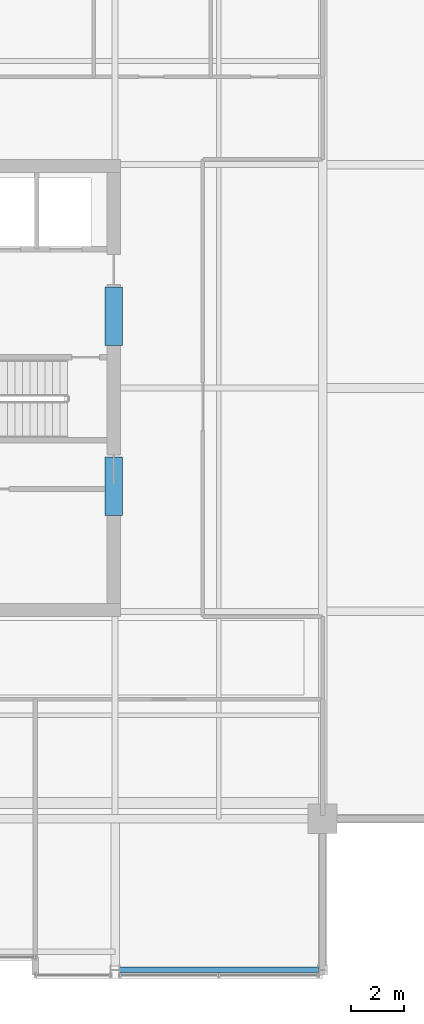
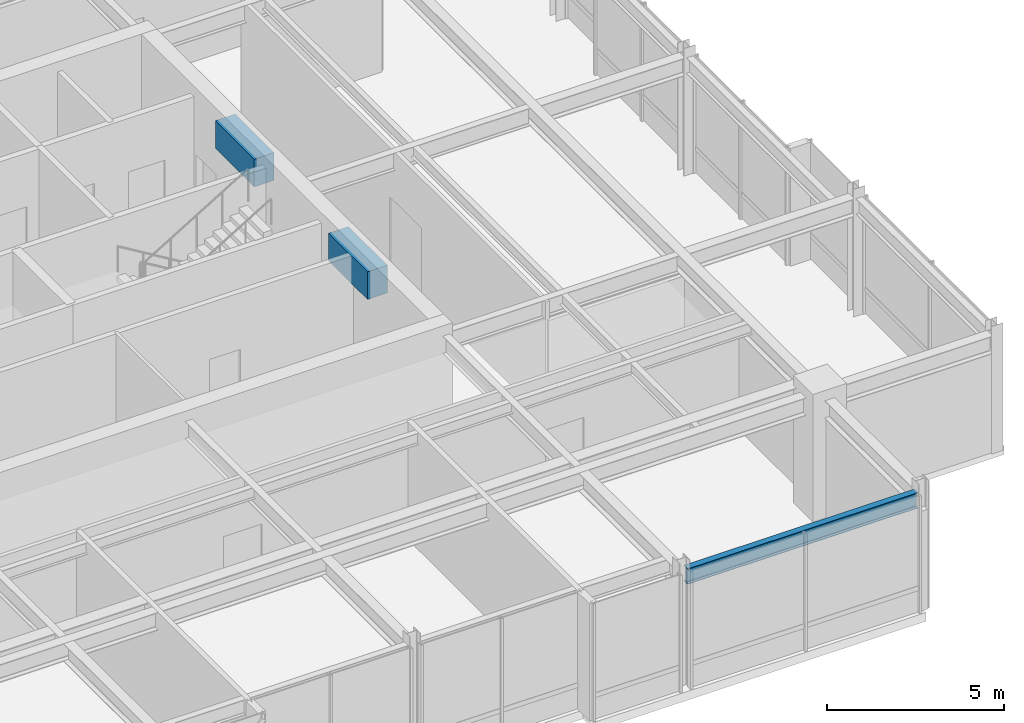
# One storey, part 15 of 33: 3 beams.
"""IFC4 building model written with IfcOpenShell, lengths in metres."""

from ifc_helpers import new_model, si_unit, direction, frame, origin, origin_2d, place, context, subcontext, project, spatial, rectangle, i_section, extrude, material, material_profile, profile_set, type_object, element, save


model = new_model("IFC4")

# Units and contexts
model_context = context("Model", 3, precision=1e-05, world=origin(), true_north=direction((0.0, 1.0)))
body_context = subcontext(model_context, "Body", "Model", "MODEL_VIEW")
ifc_project = project(units=[si_unit("LENGTHUNIT", "METRE"), si_unit("AREAUNIT", "SQUARE_METRE"), si_unit("VOLUMEUNIT", "CUBIC_METRE"), si_unit("PLANEANGLEUNIT", "RADIAN"), si_unit("MASSUNIT", "GRAM", prefix="KILO")], contexts=[model_context])

# Site, building, storey
site_placement = place(None, origin())
site = spatial("IfcSite", under=ifc_project, at=site_placement, CompositionType="ELEMENT")
building_placement = place(site_placement, origin())
building = spatial("IfcBuilding", under=site, at=building_placement, Name="Drelvath Grand Hotel", CompositionType="ELEMENT")
storey_placement = place(building_placement, frame((0.0, 0.0, 298.60009765625)))
storey = spatial("IfcBuildingStorey", under=building, at=storey_placement, Name="L78", CompositionType="ELEMENT", Elevation=298.60009765625)

# Beams
ifc_material_1 = material(Name="Concrete f'c 55 MPa", Category="concrete")
ifc_material_profile_1 = material_profile(ifc_material_1, rectangle(XDim=0.64990234375, YDim=0.949951171875, at=origin_2d()), Name="CB650X950")
ifc_profile_set_1 = profile_set([ifc_material_profile_1], Name="Concrete f'c 55 MPa")
beam_type_1 = type_object("IfcBeamType", Name="Core Coupling Lintel CB650X950", PredefinedType="LINTEL", material=ifc_profile_set_1)
for number, where, z_axis, x_axis, name in (
    (1, (8.35009765625, 22.199951171875, 3.574951171875), (0.0, 1.0, 0.0), (-1.0, 0.0, 0.0), "L78 Core Coupling Lintel ES"),
    (2, (8.35009765625, 28.60009765625, 3.574951171875), (0.0, 1.0, 0.0), (-1.0, 0.0, 0.0), "L78 Core Coupling Lintel EN"),
):
    element("IfcBeam", number, at=place(storey_placement, frame(where, z_axis=z_axis, x_axis=x_axis)), inside=storey, type_object=beam_type_1, Name=name, PredefinedType="LINTEL", context=body_context, shape_type="SweptSolid", body=[
        extrude(rectangle(XDim=0.64990234375, YDim=0.949951171875, at=origin_2d()), origin(), (0.0, 0.0, 1.0), 2.199951171875),
    ])
ifc_material_2 = material(Name="Steel ASTM A992 Gr 50", Category="steel")
ifc_material_profile_2 = material_profile(ifc_material_2, i_section(OverallWidth=0.210205078125, OverallDepth=0.53662109375, WebThickness=0.010986328125, FlangeThickness=0.017333984375, FilletRadius=0.01806640625, at=origin_2d()), Name="W21X68")
ifc_profile_set_2 = profile_set([ifc_material_profile_2], Name="Steel ASTM A992 Gr 50")
beam_type_2 = type_object("IfcBeamType", Name="Perimeter Spandrel Beam W21X68", PredefinedType="SPANDREL", material=ifc_profile_set_2)
beam_placement = place(storey_placement, frame((8.5400390625, 5.1201171875, 3.781494140625), z_axis=(1.0, 0.0, 0.0), x_axis=(0.0, 1.0, 0.0)))
element("IfcBeam", 3, at=beam_placement, inside=storey, type_object=beam_type_2, Name="L78 Spandrel South E", PredefinedType="SPANDREL", context=body_context, shape_type="SweptSolid", body=[
    extrude(i_section(OverallWidth=0.210205078125, OverallDepth=0.53662109375, WebThickness=0.010986328125, FlangeThickness=0.017333984375, FilletRadius=0.01806640625, at=origin_2d()), origin(), (0.0, 0.0, 1.0), 7.52001953125),
])

save(model, "model.ifc")
